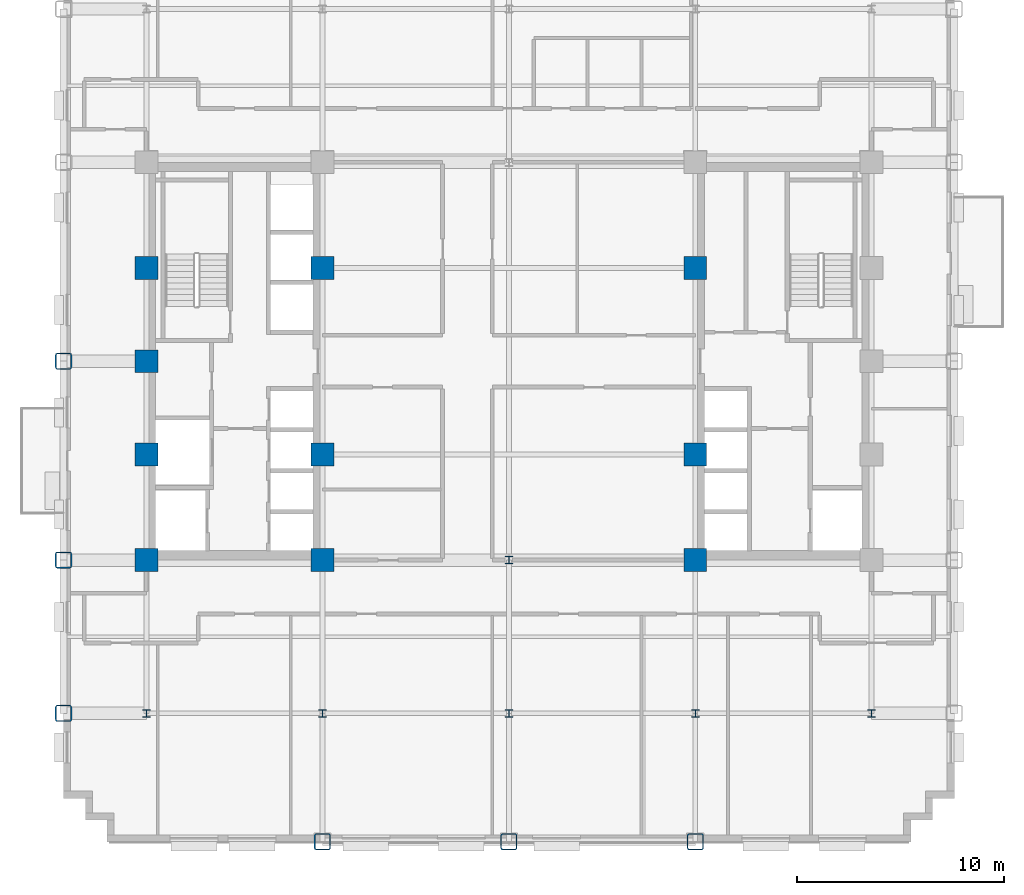
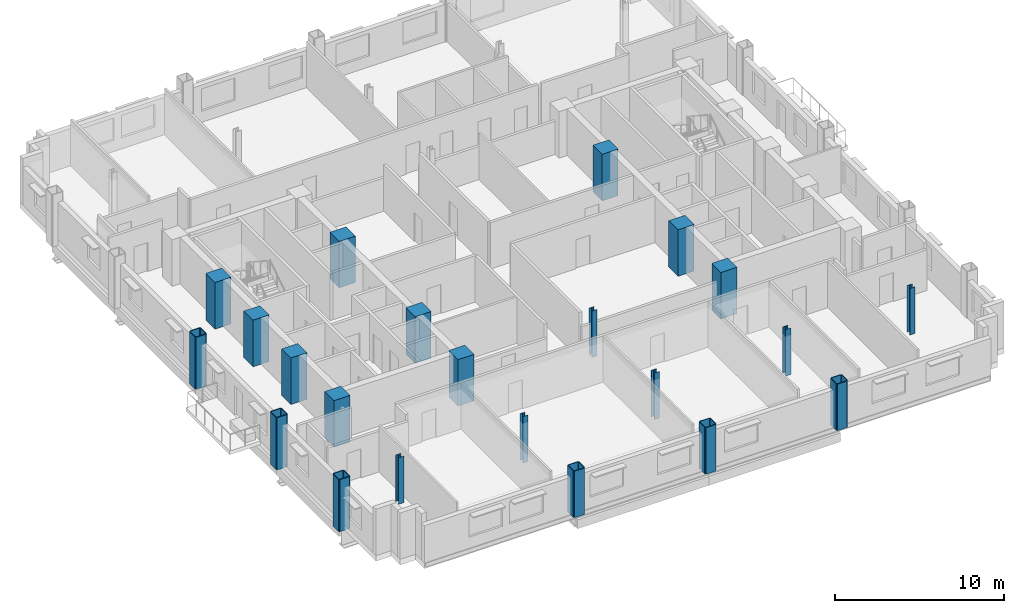
# One storey, part 1 of 14: 22 columns.
"""IFC4 building model written with IfcOpenShell, lengths in metres."""

from ifc_helpers import new_model, si_unit, direction, frame, origin, origin_2d, place, context, subcontext, project, spatial, rectangle, hollow_rectangle, i_section, extrude, material, material_profile, profile_set, type_object, element, save


model = new_model("IFC4")

# Units and contexts
model_context = context("Model", 3, precision=1e-05, world=origin(), true_north=direction((0.0, 1.0)))
body_context = subcontext(model_context, "Body", "Model", "MODEL_VIEW")
ifc_project = project(units=[si_unit("LENGTHUNIT", "METRE"), si_unit("AREAUNIT", "SQUARE_METRE"), si_unit("VOLUMEUNIT", "CUBIC_METRE"), si_unit("PLANEANGLEUNIT", "RADIAN"), si_unit("MASSUNIT", "GRAM", prefix="KILO")], contexts=[model_context])

# Site, building, storey
site_placement = place(None, origin())
site = spatial("IfcSite", under=ifc_project, at=site_placement, CompositionType="ELEMENT")
building_placement = place(site_placement, origin())
building = spatial("IfcBuilding", under=site, at=building_placement, Name="Nuvemarco Arch Tower", CompositionType="ELEMENT")
storey_placement = place(building_placement, frame((0.0, 0.0, 56.800048828125)))
storey = spatial("IfcBuildingStorey", under=building, at=storey_placement, Name="L14", CompositionType="ELEMENT", Elevation=56.800048828125)

# Columns
ifc_material_1 = material(Name="Concrete C60/75", Category="concrete")
ifc_material_profile_1 = material_profile(ifc_material_1, rectangle(XDim=1.10009765625, YDim=1.10009765625, at=origin_2d()), Name="RC-COL-1100x1100")
ifc_profile_set_1 = profile_set([ifc_material_profile_1], Name="Concrete C60/75")
column_type_1 = type_object("IfcColumnType", Name="COL-CORE-1100", PredefinedType="COLUMN", material=ifc_profile_set_1)
for number, where, z_axis, x_axis, name in (
    (1, (-17.5, -9.60009765625, 0.0), (0.0, 0.0, 1.0), (1.0, 0.0, 0.0), "L14 column CC_-17.5_-9.6"),
    (2, (-17.5, -4.5, 0.0), (0.0, 0.0, 1.0), (1.0, 0.0, 0.0), "L14 column CC_-17.5_-4.5"),
    (3, (-17.5, 4.5, 0.0), (0.0, 0.0, 1.0), (1.0, 0.0, 0.0), "L14 column CC_-17.5_+4.5"),
    (4, (-9.0, -9.60009765625, 0.0), (0.0, 0.0, 1.0), (1.0, 0.0, 0.0), "L14 column CC_-9.0_-9.6"),
    (5, (-9.0, -4.5, 0.0), (0.0, 0.0, 1.0), (1.0, 0.0, 0.0), "L14 column CC_-9.0_-4.5"),
    (6, (-9.0, 4.5, 0.0), (0.0, 0.0, 1.0), (1.0, 0.0, 0.0), "L14 column CC_-9.0_+4.5"),
    (7, (9.0, -9.60009765625, 0.0), (0.0, 0.0, 1.0), (1.0, 0.0, 0.0), "L14 column CC_+9.0_-9.6"),
    (8, (9.0, -4.5, 0.0), (0.0, 0.0, 1.0), (1.0, 0.0, 0.0), "L14 column CC_+9.0_-4.5"),
    (9, (9.0, 4.5, 0.0), (0.0, 0.0, 1.0), (1.0, 0.0, 0.0), "L14 column CC_+9.0_+4.5"),
    (10, (-17.5, 0.0, 0.0), (0.0, 0.0, 1.0), (1.0, 0.0, 0.0), "L14 column CC_-17.5_+0.0"),
):
    element("IfcColumn", number, at=place(storey_placement, frame(where, z_axis=z_axis, x_axis=x_axis)), inside=storey, type_object=column_type_1, Name=name, PredefinedType="COLUMN", context=body_context, shape_type="SweptSolid", body=[
        extrude(rectangle(XDim=1.10009765625, YDim=1.10009765625, at=origin_2d()), origin(), (0.0, 0.0, 1.0), 3.369873046875),
    ])
ifc_material_2 = material(Name="Steel S460", Category="steel")
ifc_material_profile_2 = material_profile(ifc_material_2, hollow_rectangle(XDim=0.800048828125, YDim=0.800048828125, WallThickness=0.054931640625, InnerFilletRadius=0.054931640625, OuterFilletRadius=0.110107421875, at=origin_2d()), Name="SHS800x800x55")
ifc_profile_set_2 = profile_set([ifc_material_profile_2], Name="Steel S460")
column_type_2 = type_object("IfcColumnType", Name="COL-EXO-800", PredefinedType="COLUMN", material=ifc_profile_set_2)
for number, where, z_axis, x_axis, name in (
    (11, (-21.5, -17.0, -0.400146484375), (0.0, 0.0, 1.0), (1.0, 0.0, 0.0), "L14 column CX_-21.5_-17.0"),
    (12, (-21.5, -9.60009765625, -0.400146484375), (0.0, 0.0, 1.0), (1.0, 0.0, 0.0), "L14 column CX_-21.5_-9.6"),
    (13, (-21.5, 0.0, -0.400146484375), (0.0, 0.0, 1.0), (1.0, 0.0, 0.0), "L14 column CX_-21.5_+0.0"),
):
    element("IfcColumn", number, at=place(storey_placement, frame(where, z_axis=z_axis, x_axis=x_axis)), inside=storey, type_object=column_type_2, Name=name, PredefinedType="COLUMN", context=body_context, shape_type="SweptSolid", body=[
        extrude(hollow_rectangle(XDim=0.800048828125, YDim=0.800048828125, WallThickness=0.054931640625, InnerFilletRadius=0.054931640625, OuterFilletRadius=0.110107421875, at=origin_2d()), origin(), (0.0, 0.0, 1.0), 3.77001953125),
    ])
for number, where, z_axis, x_axis, name in (
    (14, (-9.0, -23.199951171875, 0.0), (0.0, 0.0, 1.0), (1.0, 0.0, 0.0), "L14 column CY_-9.0_-23.2"),
    (15, (0.0, -23.199951171875, 0.0), (0.0, 0.0, 1.0), (1.0, 0.0, 0.0), "L14 column CY_+0.0_-23.2"),
    (16, (9.0, -23.199951171875, 0.0), (0.0, 0.0, 1.0), (1.0, 0.0, 0.0), "L14 column CY_+9.0_-23.2"),
):
    element("IfcColumn", number, at=place(storey_placement, frame(where, z_axis=z_axis, x_axis=x_axis)), inside=storey, type_object=column_type_2, Name=name, PredefinedType="COLUMN", context=body_context, shape_type="SweptSolid", body=[
        extrude(hollow_rectangle(XDim=0.800048828125, YDim=0.800048828125, WallThickness=0.054931640625, InnerFilletRadius=0.054931640625, OuterFilletRadius=0.110107421875, at=origin_2d()), origin(), (0.0, 0.0, 1.0), 3.369873046875),
    ])
ifc_material_3 = material(Name="Steel S355", Category="steel")
ifc_material_profile_3 = material_profile(ifc_material_3, i_section(OverallWidth=0.360107421875, OverallDepth=0.360107421875, WebThickness=0.0205078125, FlangeThickness=0.0205078125, FilletRadius=0.01806640625, at=origin_2d()), Name="HP360x174")
ifc_profile_set_3 = profile_set([ifc_material_profile_3], Name="Steel S355")
column_type_3 = type_object("IfcColumnType", Name="COL-STL-HP360", PredefinedType="COLUMN", material=ifc_profile_set_3)
for number, where, z_axis, x_axis, name in (
    (17, (0.0, -17.0, 0.0), (0.0, 0.0, 1.0), (1.0, 0.0, 0.0), "L14 column CI_+0.0_-17.0"),
    (18, (0.0, -9.60009765625, 0.0), (0.0, 0.0, 1.0), (1.0, 0.0, 0.0), "L14 column CI_+0.0_-9.6"),
    (19, (-17.5, -17.0, 0.0), (0.0, 0.0, 1.0), (1.0, 0.0, 0.0), "L14 column CI_-17.5_-17.0"),
    (20, (-9.0, -17.0, 0.0), (0.0, 0.0, 1.0), (1.0, 0.0, 0.0), "L14 column CI_-9.0_-17.0"),
    (21, (9.0, -17.0, 0.0), (0.0, 0.0, 1.0), (1.0, 0.0, 0.0), "L14 column CI_+9.0_-17.0"),
    (22, (17.5, -17.0, 0.0), (0.0, 0.0, 1.0), (1.0, 0.0, 0.0), "L14 column CI_+17.5_-17.0"),
):
    element("IfcColumn", number, at=place(storey_placement, frame(where, z_axis=z_axis, x_axis=x_axis)), inside=storey, type_object=column_type_3, Name=name, PredefinedType="COLUMN", context=body_context, shape_type="SweptSolid", body=[
        extrude(i_section(OverallWidth=0.360107421875, OverallDepth=0.360107421875, WebThickness=0.0205078125, FlangeThickness=0.0205078125, FilletRadius=0.01806640625, at=origin_2d()), origin(), (0.0, 0.0, 1.0), 3.369873046875),
    ])

save(model, "model.ifc")
